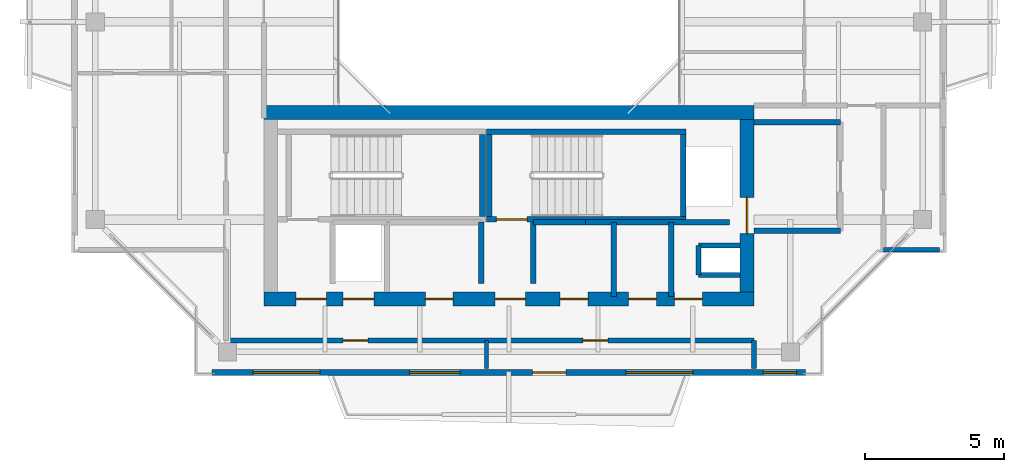
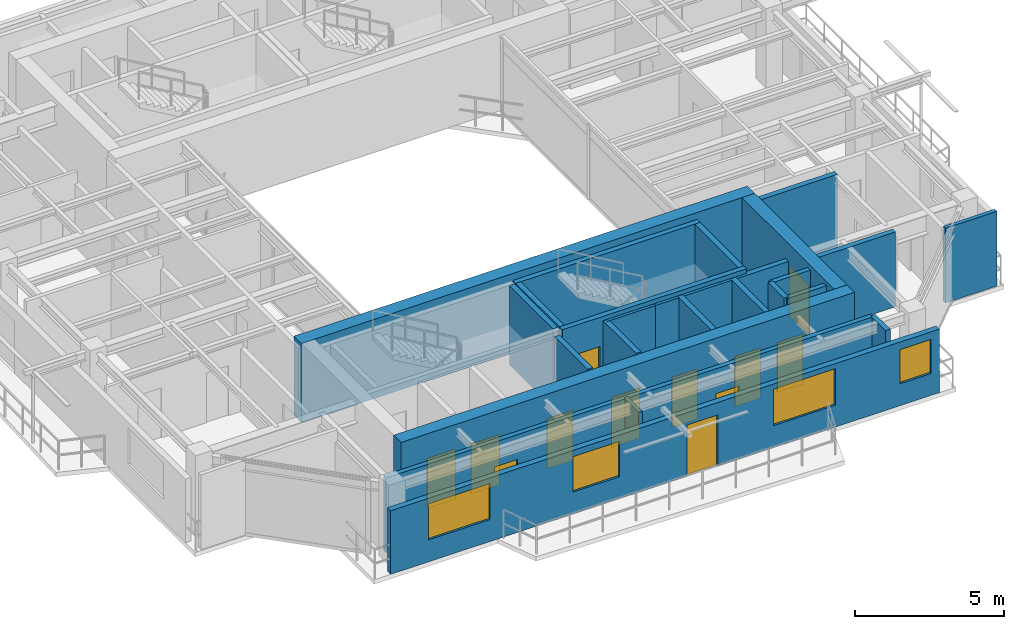
# One storey, part 9 of 15: 24 walls, 12 doors, 4 windows, 16 openings.
"""IFC4 building model written with IfcOpenShell, lengths in metres."""

import ifcopenshell
import ifcopenshell.guid

model = None  # the IFC model being written
_history = None  # IfcOwnerHistory: only IFC2X3 demands one
_inside = {}  # id of a spatial element -> (the spatial element, [elements in it])
_under = {}  # id of a project, library or spatial element -> (it, [spatial elements below it])
_declared = {}  # id of a project -> (the project, [libraries it declares])
_typed = {}  # id of a type object -> (the type object, [elements of that type])
_made_of = {}  # id of a material, layer set ... -> (it, [elements and type objects made of it])


def new_model(schema):
    """Start an empty IFC model of exactly this schema.

    Asked for "IFC4X3", IfcOpenShell would pick the latest addendum, in which some entities
    have other attributes; the version numbers below select the first issue.
    IFC2X3 requires an IfcOwnerHistory on every rooted entity: one is made here for all.
    """
    global model, _history
    if schema == "IFC4X3":
        model = ifcopenshell.file(schema_version=(4, 3, 0, 0))
    else:
        model = ifcopenshell.file(schema=schema)
    _inside.clear()
    _under.clear()
    _declared.clear()
    _typed.clear()
    _made_of.clear()
    _history = None
    if model.schema == "IFC2X3":
        org = make("IfcOrganization", Name="unknown")
        user = make(
            "IfcPersonAndOrganization",
            ThePerson=make("IfcPerson", FamilyName="unknown"),
            TheOrganization=org,
        )
        app = make(
            "IfcApplication",
            ApplicationDeveloper=org,
            Version="unknown",
            ApplicationFullName="unknown",
            ApplicationIdentifier="unknown",
        )
        _history = make(
            "IfcOwnerHistory",
            OwningUser=user,
            OwningApplication=app,
            ChangeAction="ADDED",
            CreationDate=0,
        )
    return model


def make(cls, **values):
    """One entity of the class cls with the attributes given. An attribute that is None is left unset."""
    return model.create_entity(
        cls, **{name: value for name, value in values.items() if value is not None}
    )


def rooted(cls, **values):
    """An entity with a GlobalId (a new one), such as an element, a storey or a relation."""
    return make(cls, GlobalId=ifcopenshell.guid.new(), OwnerHistory=_history, **values)


def si_unit(unit_type, name, prefix=None):
    """IfcSIUnit, for example si_unit("LENGTHUNIT", "METRE", prefix="MILLI")."""
    return make("IfcSIUnit", UnitType=unit_type, Prefix=prefix, Name=name)


def assignment(units):
    """IfcUnitAssignment: the units of a project."""
    return None if units is None else make("IfcUnitAssignment", Units=units)


def point(xyz):
    """IfcCartesianPoint."""
    return None if xyz is None else make("IfcCartesianPoint", Coordinates=xyz)


def direction(xyz):
    """IfcDirection."""
    return None if xyz is None else make("IfcDirection", DirectionRatios=xyz)


def frame(location, z_axis=None, x_axis=None):
    """IfcAxis2Placement3D, a coordinate frame: its origin and axes. An axis left out is left unset."""
    return make(
        "IfcAxis2Placement3D",
        Location=point(location),
        Axis=direction(z_axis),
        RefDirection=direction(x_axis),
    )


def frame_2d(location, x_axis=None):
    """IfcAxis2Placement2D, a coordinate frame in the plane: its origin and x axis."""
    return make(
        "IfcAxis2Placement2D", Location=point(location), RefDirection=direction(x_axis)
    )


def origin():
    """The frame at (0, 0, 0) with its axes left unset."""
    return frame((0.0, 0.0, 0.0))


def place(relative_to, where):
    """IfcLocalPlacement: puts the frame where relative to a parent placement (None: the world)."""
    return make(
        "IfcLocalPlacement", PlacementRelTo=relative_to, RelativePlacement=where
    )


def context(
    kind, dimensions, precision=None, world=None, true_north=None, identifier=None
):
    """IfcGeometricRepresentationContext, for example the 3D "Model" context."""
    return make(
        "IfcGeometricRepresentationContext",
        ContextIdentifier=identifier,
        ContextType=kind,
        CoordinateSpaceDimension=dimensions,
        Precision=precision,
        WorldCoordinateSystem=world,
        TrueNorth=true_north,
    )


def subcontext(parent, identifier, kind, view, scale=None):
    """IfcGeometricRepresentationSubContext, for example "Body" below "Model"."""
    return make(
        "IfcGeometricRepresentationSubContext",
        ContextIdentifier=identifier,
        ContextType=kind,
        ParentContext=parent,
        TargetScale=scale,
        TargetView=view,
    )


def project(units=None, contexts=None):
    """IfcProject with its units and contexts."""
    return rooted(
        "IfcProject",
        Name="project",
        RepresentationContexts=contexts,
        UnitsInContext=assignment(units),
    )


def spatial(cls, under=None, at=None, **own):
    """A site, building, storey or space (cls), placed at a placement, below another one or the project."""
    s = rooted(cls, ObjectPlacement=at, **own)
    if under is not None:
        _under.setdefault(under.id(), (under, []))[1].append(s)
    return s


def profile(cls, at=None, kind="AREA", **sizes):
    """A parametric profile (cls). Its sizes go by their IFC names, for example OverallWidth=200.0."""
    return make(cls, ProfileType=kind, Position=at, **sizes)


def rectangle(**sizes):
    """IfcRectangleProfileDef."""
    return profile("IfcRectangleProfileDef", **sizes)


def extrude(swept, where, along, depth):
    """IfcExtrudedAreaSolid: the profile swept, set in the frame where, extruded along a direction by depth."""
    return make(
        "IfcExtrudedAreaSolid",
        SweptArea=swept,
        Position=where,
        ExtrudedDirection=direction(along),
        Depth=depth,
    )


def shape(context_of_items, identifier, shape_type, items):
    """IfcShapeRepresentation: the items that make up one representation, for example the "Body"."""
    return make(
        "IfcShapeRepresentation",
        ContextOfItems=context_of_items,
        RepresentationIdentifier=identifier,
        RepresentationType=shape_type,
        Items=items,
    )


def source(mapping_origin, context_of_items, identifier, shape_type, items):
    """IfcRepresentationMap: a shape defined once, which mapped items show again and again."""
    return make(
        "IfcRepresentationMap",
        MappingOrigin=mapping_origin,
        MappedRepresentation=shape(context_of_items, identifier, shape_type, items),
    )


def transform(
    local_origin,
    x_axis=None,
    y_axis=None,
    z_axis=None,
    scale=None,
    scale2=None,
    scale3=None,
    uniform=True,
):
    """IfcCartesianTransformationOperator3D, or its non-uniform kind. x_axis, y_axis, z_axis: its Axis1, 2, 3."""
    if uniform:
        return make(
            "IfcCartesianTransformationOperator3D",
            Axis1=direction(x_axis),
            Axis2=direction(y_axis),
            LocalOrigin=point(local_origin),
            Scale=scale,
            Axis3=direction(z_axis),
        )
    return make(
        "IfcCartesianTransformationOperator3DnonUniform",
        Axis1=direction(x_axis),
        Axis2=direction(y_axis),
        LocalOrigin=point(local_origin),
        Scale=scale,
        Axis3=direction(z_axis),
        Scale2=scale2,
        Scale3=scale3,
    )


def mapped(mapping_source, mapping_target):
    """IfcMappedItem: shows the shape of a source again, moved by a transform."""
    return make(
        "IfcMappedItem", MappingSource=mapping_source, MappingTarget=mapping_target
    )


def material(Name=None, Category=None):
    """IfcMaterial."""
    return make("IfcMaterial", Name=Name, Category=Category)


def layer(
    of_material, thickness, ventilated=None, Name=None, Category=None, Priority=None
):
    """IfcMaterialLayer: one layer of a wall or slab, of a material (None: an air gap)."""
    return make(
        "IfcMaterialLayer",
        Material=of_material,
        LayerThickness=thickness,
        IsVentilated=ventilated,
        Name=Name,
        Category=Category,
        Priority=Priority,
    )


def layer_set(layers, Name=None):
    """IfcMaterialLayerSet."""
    return make("IfcMaterialLayerSet", MaterialLayers=layers, LayerSetName=Name)


def made_of(thing, what):
    """Note that an element or type object is made of a material, layer set ...; save() writes the relation."""
    if what is not None:
        _made_of.setdefault(what.id(), (what, []))[1].append(thing)
    return thing


def type_object(cls, material=None, **own):
    """A type object (cls), such as IfcWallType, which elements share."""
    return made_of(rooted(cls, **own), material)


def element(
    cls,
    number,
    at=None,
    inside=None,
    cuts=None,
    type_object=None,
    material=None,
    context=None,
    identifier="Body",
    shape_type=None,
    held_by="IfcProductDefinitionShape",
    body=None,
    shapes=None,
    **own,
):
    """One element of the class cls, such as IfcWall. Its Tag is "e" and its number.

    at: its placement. inside: the storey or other place that contains it. cuts: it is an
    opening in that element (IfcRelVoidsElement). A single representation is given by context,
    identifier, shape_type and body (its items); several are given by shapes. held_by: the class
    of the entity that holds the representations. save() writes the other relations.
    """
    e = rooted(cls, Tag="e%d" % number, ObjectPlacement=at, **own)
    if body is not None:
        shapes = [shape(context, identifier, shape_type, body)]
    if shapes is not None:
        e.Representation = make(held_by, Representations=shapes)
    if inside is not None:
        _inside.setdefault(inside.id(), (inside, []))[1].append(e)
    if cuts is not None:
        rooted(
            "IfcRelVoidsElement", RelatingBuildingElement=cuts, RelatedOpeningElement=e
        )
    if type_object is not None:
        _typed.setdefault(type_object.id(), (type_object, []))[1].append(e)
    return made_of(e, material)


def fill(opening, filler):
    """IfcRelFillsElement: the door or window that sits in an opening."""
    return rooted(
        "IfcRelFillsElement",
        RelatingOpeningElement=opening,
        RelatedBuildingElement=filler,
    )


def aggregate(whole, parts):
    """IfcRelAggregates: a whole, such as a stair, and the parts it consists of."""
    return rooted("IfcRelAggregates", RelatingObject=whole, RelatedObjects=parts)


def save(model, path):
    """Write the relations noted so far, then the file.

    IfcRelAggregates (storeys below a building ...), IfcRelContainedInSpatialStructure (elements
    in a storey), IfcRelDefinesByType, IfcRelAssociatesMaterial and IfcRelDeclares: one each for
    every whole, place, type object, material and project.
    """
    for whole, parts in _under.values():
        aggregate(whole, parts)
    for where, things in _inside.values():
        rooted(
            "IfcRelContainedInSpatialStructure",
            RelatedElements=things,
            RelatingStructure=where,
        )
    for kind, things in _typed.values():
        rooted("IfcRelDefinesByType", RelatedObjects=things, RelatingType=kind)
    for what, things in _made_of.values():
        rooted("IfcRelAssociatesMaterial", RelatedObjects=things, RelatingMaterial=what)
    for by, libraries in _declared.values():
        rooted("IfcRelDeclares", RelatingContext=by, RelatedDefinitions=libraries)
    model.write(path)


model = new_model("IFC4")

# Units and contexts
model_context = context("Model", 3, precision=1e-05, world=origin(), true_north=direction((0.0, 1.0)))
body_context = subcontext(model_context, "Body", "Model", "MODEL_VIEW")
ifc_project = project(units=[si_unit("LENGTHUNIT", "METRE"), si_unit("AREAUNIT", "SQUARE_METRE"), si_unit("VOLUMEUNIT", "CUBIC_METRE"), si_unit("PLANEANGLEUNIT", "RADIAN"), si_unit("MASSUNIT", "GRAM", prefix="KILO"), si_unit("THERMODYNAMICTEMPERATUREUNIT", "KELVIN"), si_unit("POWERUNIT", "WATT")], contexts=[model_context])

# Site, building, storey
site_placement = place(None, origin())
site = spatial("IfcSite", under=ifc_project, at=site_placement, CompositionType="ELEMENT")
building_placement = place(site_placement, origin())
building = spatial("IfcBuilding", under=site, at=building_placement, Name="Qiaomeng Ring Towers", CompositionType="ELEMENT")
storey_placement = place(building_placement, frame((0.0, 0.0, 250.25)))
storey = spatial("IfcBuildingStorey", under=building, at=storey_placement, Name="L73", CompositionType="ELEMENT", Elevation=250.25)

# Wall, openings, windows, door
ifc_material_1 = material(Name="Precast concrete C40", Category="concrete")
ifc_layer_1 = layer(ifc_material_1, 0.219970703125, Name="Precast concrete C40")
ifc_layer_set_1 = layer_set([ifc_layer_1], Name="Precast concrete C40")
wall_type_1 = type_object("IfcWallType", Name="ARC-WL-EW2", PredefinedType="STANDARD", material=ifc_layer_set_1)
wall_1_placement = place(storey_placement, frame((8.35009765625, 7.409912109375, 0.0), z_axis=(0.0, 0.0, 1.0), x_axis=(1.0, 0.0, 0.0)))
wall_1 = element("IfcWall", 1, at=wall_1_placement, inside=storey, type_object=wall_type_1, Name="L73 Tower 1 S Exterior Wall", PredefinedType="STANDARD", context=body_context, shape_type="SweptSolid", body=[
    extrude(rectangle(XDim=21.2998046875, YDim=0.219970703125, at=frame_2d((10.64990234375, 0.0))), origin(), (0.0, 0.0, 1.0), 2.610107421875),
])
opening_1_placement = place(wall_1_placement, frame((11.5, 0.0, 0.0)))
opening_1 = element("IfcOpeningElement", 2, at=opening_1_placement, cuts=wall_1, Name="Opening BD1", PredefinedType="OPENING", context=body_context, shape_type="SweptSolid", body=[
    extrude(rectangle(XDim=1.199951171875, YDim=2.10009765625, at=frame_2d((0.60009765625, 1.050048828125))), frame((0.0, 0.119873046875, 0.0), z_axis=(0.0, -1.0, 0.0), x_axis=(1.0, 0.0, 0.0)), (0.0, 0.0, 1.0), 0.239990234375),
])
opening_2_placement = place(wall_1_placement, frame((1.462890625, 0.0, 0.89990234375)))
opening_2 = element("IfcOpeningElement", 3, at=opening_2_placement, cuts=wall_1, Name="Opening WN6", PredefinedType="OPENING", context=body_context, shape_type="SweptSolid", body=[
    extrude(rectangle(XDim=2.39990234375, YDim=1.47998046875, at=frame_2d((1.199951171875, 0.739990234375))), frame((0.0, 0.119873046875, 0.0), z_axis=(0.0, -1.0, 0.0), x_axis=(1.0, 0.0, 0.0)), (0.0, 0.0, 1.0), 0.239990234375),
])
opening_3_placement = place(wall_1_placement, frame((7.087890625, 0.0, 0.89990234375)))
opening_3 = element("IfcOpeningElement", 4, at=opening_3_placement, cuts=wall_1, Name="Opening WN1", PredefinedType="OPENING", context=body_context, shape_type="SweptSolid", body=[
    extrude(rectangle(XDim=1.800048828125, YDim=1.449951171875, at=frame_2d((0.89990234375, 0.72509765625))), frame((0.0, 0.119873046875, 0.0), z_axis=(0.0, -1.0, 0.0), x_axis=(1.0, 0.0, 0.0)), (0.0, 0.0, 1.0), 0.239990234375),
])
opening_4_placement = place(wall_1_placement, frame((19.77490234375, 0.0, 0.89990234375)))
opening_4 = element("IfcOpeningElement", 5, at=opening_4_placement, cuts=wall_1, Name="Opening WN3", PredefinedType="OPENING", context=body_context, shape_type="SweptSolid", body=[
    extrude(rectangle(XDim=1.199951171875, YDim=1.39990234375, at=frame_2d((0.60009765625, 0.699951171875))), frame((0.0, 0.119873046875, 0.0), z_axis=(0.0, -1.0, 0.0), x_axis=(1.0, 0.0, 0.0)), (0.0, 0.0, 1.0), 0.239990234375),
])
opening_5_placement = place(wall_1_placement, frame((14.860107421875, 0.0, 0.89990234375)))
opening_5 = element("IfcOpeningElement", 6, at=opening_5_placement, cuts=wall_1, Name="Opening WN6", PredefinedType="OPENING", context=body_context, shape_type="SweptSolid", body=[
    extrude(rectangle(XDim=2.39990234375, YDim=1.5, at=frame_2d((1.199951171875, 0.75))), frame((0.0, 0.119873046875, 0.0), z_axis=(0.0, -1.0, 0.0), x_axis=(1.0, 0.0, 0.0)), (0.0, 0.0, 1.0), 0.239990234375),
])
ifc_material_2 = material(Name="Low-E dark-grey laminated double glazing", Category="glass")
window_type_1 = type_object("IfcWindowType", Name="ARC-WN-1", PartitioningType="DOUBLE_PANEL_VERTICAL", PredefinedType="WINDOW", material=ifc_material_2)
shared_shape_1 = source(origin(), body_context, "Body", "SweptSolid", [
    extrude(rectangle(XDim=1.800048828125, YDim=1.449951171875, at=frame_2d((0.89990234375, 0.72509765625))), frame((0.0, 0.030029296875, 0.0), z_axis=(0.0, -1.0, 0.0), x_axis=(1.0, 0.0, 0.0)), (0.0, 0.0, 1.0), 0.06005859375),
])
window_1_placement = place(opening_3_placement, origin())
window_1 = element("IfcWindow", 7, at=window_1_placement, inside=storey, type_object=window_type_1, Name="L73 Exterior Window WN1", OverallHeight=1.449951171875, OverallWidth=1.800048828125, PartitioningType="DOUBLE_PANEL_VERTICAL", PredefinedType="WINDOW", context=body_context, shape_type="MappedRepresentation", body=[
    mapped(shared_shape_1, transform((0.0, 0.0, 0.0), x_axis=(1.0, 0.0, 0.0), y_axis=(0.0, 1.0, 0.0), z_axis=(0.0, 0.0, 1.0), scale=1.0)),
])
fill(opening_3, window_1)
window_type_2 = type_object("IfcWindowType", Name="ARC-WN-6", PartitioningType="TRIPLE_PANEL_VERTICAL", PredefinedType="WINDOW", material=ifc_material_2)
shared_shape_2 = source(origin(), body_context, "Body", "SweptSolid", [
    extrude(rectangle(XDim=2.39990234375, YDim=1.47998046875, at=frame_2d((1.199951171875, 0.739990234375))), frame((0.0, 0.030029296875, 0.0), z_axis=(0.0, -1.0, 0.0), x_axis=(1.0, 0.0, 0.0)), (0.0, 0.0, 1.0), 0.06005859375),
])
window_2_placement = place(opening_2_placement, origin())
window_2 = element("IfcWindow", 8, at=window_2_placement, inside=storey, type_object=window_type_2, Name="L73 Exterior Window WN6", OverallHeight=1.47998046875, OverallWidth=2.39990234375, PartitioningType="TRIPLE_PANEL_VERTICAL", PredefinedType="WINDOW", context=body_context, shape_type="MappedRepresentation", body=[
    mapped(shared_shape_2, transform((0.0, 0.0, 0.0), x_axis=(1.0, 0.0, 0.0), y_axis=(0.0, 1.0, 0.0), z_axis=(0.0, 0.0, 1.0), scale=1.0)),
])
fill(opening_2, window_2)
door_type_1 = type_object("IfcDoorType", Name="ARC-DR-BD1", OperationType="NOTDEFINED", PredefinedType="DOOR", material=ifc_material_2)
shared_shape_3 = source(origin(), body_context, "Body", "SweptSolid", [
    extrude(rectangle(XDim=1.199951171875, YDim=2.10009765625, at=frame_2d((0.60009765625, 1.050048828125))), frame((0.0, 0.02490234375, 0.0), z_axis=(0.0, -1.0, 0.0), x_axis=(1.0, 0.0, 0.0)), (0.0, 0.0, 1.0), 0.050048828125),
])
door_1_placement = place(opening_1_placement, frame((1.199951171875, 0.0, 0.0), z_axis=(0.0, 0.0, 1.0), x_axis=(-1.0, 0.0, 0.0)))
door_1 = element("IfcDoor", 9, at=door_1_placement, inside=storey, type_object=door_type_1, Name="L73 S Balcony Glazed Door", OperationType="SINGLE_SWING_LEFT", OverallHeight=2.10009765625, OverallWidth=1.199951171875, PredefinedType="DOOR", context=body_context, shape_type="MappedRepresentation", body=[
    mapped(shared_shape_3, transform((0.0, 0.0, 0.0), x_axis=(1.0, 0.0, 0.0), y_axis=(0.0, 1.0, 0.0), z_axis=(0.0, 0.0, 1.0), scale=1.0)),
])
fill(opening_1, door_1)
shared_shape_4 = source(origin(), body_context, "Body", "SweptSolid", [
    extrude(rectangle(XDim=2.39990234375, YDim=1.5, at=frame_2d((1.199951171875, 0.75))), frame((0.0, 0.030029296875, 0.0), z_axis=(0.0, -1.0, 0.0), x_axis=(1.0, 0.0, 0.0)), (0.0, 0.0, 1.0), 0.06005859375),
])
window_3_placement = place(opening_5_placement, origin())
window_3 = element("IfcWindow", 10, at=window_3_placement, inside=storey, type_object=window_type_2, Name="L73 Exterior Window WN6", OverallHeight=1.5, OverallWidth=2.39990234375, PartitioningType="TRIPLE_PANEL_VERTICAL", PredefinedType="WINDOW", context=body_context, shape_type="MappedRepresentation", body=[
    mapped(shared_shape_4, transform((0.0, 0.0, 0.0), x_axis=(1.0, 0.0, 0.0), y_axis=(0.0, 1.0, 0.0), z_axis=(0.0, 0.0, 1.0), scale=1.0)),
])
fill(opening_5, window_3)
window_type_3 = type_object("IfcWindowType", Name="ARC-WN-3", PartitioningType="SINGLE_PANEL", PredefinedType="WINDOW", material=ifc_material_2)
shared_shape_5 = source(origin(), body_context, "Body", "SweptSolid", [
    extrude(rectangle(XDim=1.199951171875, YDim=1.39990234375, at=frame_2d((0.60009765625, 0.699951171875))), frame((0.0, 0.030029296875, 0.0), z_axis=(0.0, -1.0, 0.0), x_axis=(1.0, 0.0, 0.0)), (0.0, 0.0, 1.0), 0.06005859375),
])
window_4_placement = place(opening_4_placement, origin())
window_4 = element("IfcWindow", 11, at=window_4_placement, inside=storey, type_object=window_type_3, Name="L73 Exterior Window WN4", OverallHeight=1.39990234375, OverallWidth=1.199951171875, PartitioningType="TRIPLE_PANEL_VERTICAL", PredefinedType="WINDOW", context=body_context, shape_type="MappedRepresentation", body=[
    mapped(shared_shape_5, transform((0.0, 0.0, 0.0), x_axis=(1.0, 0.0, 0.0), y_axis=(0.0, 1.0, 0.0), z_axis=(0.0, 0.0, 1.0), scale=1.0)),
])
fill(opening_4, window_4)

# Walls
ifc_material_3 = material(Name="Autoclaved aerated concrete block", Category="concrete")
ifc_layer_2 = layer(ifc_material_3, 0.199951171875, Name="Autoclaved aerated concrete block")
ifc_layer_set_2 = layer_set([ifc_layer_2], Name="Autoclaved aerated concrete block")
wall_type_2 = type_object("IfcWallType", Name="ARC-WL-PW1", PredefinedType="PARTITIONING", material=ifc_layer_set_2)
for number, where, z_axis, x_axis, name in (
    (12, (27.800048828125, 16.39990234375, 0.0), (0.0, 0.0, 1.0), (1.0, 0.0, 0.0), "L73 Interior Wall PW1"),
    (13, (27.800048828125, 12.5, 0.0), (0.0, 0.0, 1.0), (1.0, 0.0, 0.0), "L73 Interior Wall PW1"),
):
    element("IfcWall", number, at=place(storey_placement, frame(where, z_axis=z_axis, x_axis=x_axis)), inside=storey, type_object=wall_type_2, Name=name, PredefinedType="PARTITIONING", context=body_context, shape_type="SweptSolid", body=[
        extrude(rectangle(XDim=3.099853515625, YDim=0.199951171875, at=frame_2d((1.5498046875, 0.0))), origin(), (0.0, 0.0, 1.0), 3.070068359375),
    ])
for number, where, z_axis, x_axis, name in (
    (14, (18.0, 10.60009765625, 0.0), (0.0, 0.0, 1.0), (0.0, 1.0, 0.0), "L73 Interior Wall PW1"),
    (15, (19.8798828125, 10.60009765625, 0.0), (0.0, 0.0, 1.0), (0.0, 1.0, 0.0), "L73 Interior Wall PW1"),
):
    element("IfcWall", number, at=place(storey_placement, frame(where, z_axis=z_axis, x_axis=x_axis)), inside=storey, type_object=wall_type_2, Name=name, PredefinedType="PARTITIONING", context=body_context, shape_type="SweptSolid", body=[
        extrude(rectangle(XDim=2.2099609375, YDim=0.199951171875, at=frame_2d((1.10498046875, 0.0))), origin(), (0.0, 0.0, 1.0), 3.070068359375),
    ])
wall_2_placement = place(storey_placement, frame((24.820068359375, 10.14990234375, 0.0), z_axis=(0.0, 0.0, 1.0), x_axis=(0.0, 1.0, 0.0)))
element("IfcWall", 16, at=wall_2_placement, inside=storey, type_object=wall_type_2, Name="L73 Interior Wall PW1", PredefinedType="PARTITIONING", context=body_context, shape_type="SweptSolid", body=[
    extrude(rectangle(XDim=2.650146484375, YDim=0.199951171875, at=frame_2d((1.3251953125, 0.0))), origin(), (0.0, 0.0, 1.0), 3.070068359375),
])
wall_3_placement = place(storey_placement, frame((19.8798828125, 12.800048828125, 0.0), z_axis=(0.0, 0.0, 1.0), x_axis=(1.0, 0.0, 0.0)))
element("IfcWall", 17, at=wall_3_placement, inside=storey, type_object=wall_type_2, Name="L73 Interior Wall PW1", PredefinedType="PARTITIONING", context=body_context, shape_type="SweptSolid", body=[
    extrude(rectangle(XDim=1.8701171875, YDim=0.199951171875, at=frame_2d((0.93505859375, 0.0))), origin(), (0.0, 0.0, 1.0), 3.070068359375),
])
wall_4_placement = place(storey_placement, frame((22.760009765625, 10.14990234375, 0.0), z_axis=(0.0, 0.0, 1.0), x_axis=(0.0, 1.0, 0.0)))
element("IfcWall", 18, at=wall_4_placement, inside=storey, type_object=wall_type_2, Name="L73 Interior Wall PW1", PredefinedType="PARTITIONING", context=body_context, shape_type="SweptSolid", body=[
    extrude(rectangle(XDim=2.650146484375, YDim=0.199951171875, at=frame_2d((1.3251953125, 0.0))), origin(), (0.0, 0.0, 1.0), 3.070068359375),
])
wall_5_placement = place(storey_placement, frame((21.75, 12.800048828125, 0.0), z_axis=(0.0, 0.0, 1.0), x_axis=(1.0, 0.0, 0.0)))
element("IfcWall", 19, at=wall_5_placement, inside=storey, type_object=wall_type_2, Name="L73 Interior Wall PW1", PredefinedType="PARTITIONING", context=body_context, shape_type="SweptSolid", body=[
    extrude(rectangle(XDim=5.169921875, YDim=0.199951171875, at=frame_2d((2.5849609375, 0.0))), origin(), (0.0, 0.0, 1.0), 3.070068359375),
])
ifc_layer_3 = layer(ifc_material_3, 0.179931640625, Name="Autoclaved aerated concrete block")
ifc_layer_set_3 = layer_set([ifc_layer_3], Name="Autoclaved aerated concrete block")
wall_type_3 = type_object("IfcWallType", Name="ARC-WL-PW2", PredefinedType="PARTITIONING", material=ifc_layer_set_3)
wall_6_placement = place(storey_placement, frame((27.800048828125, 7.550048828125, 0.0), z_axis=(0.0, 0.0, 1.0), x_axis=(0.0, 1.0, 0.0)))
element("IfcWall", 20, at=wall_6_placement, inside=storey, type_object=wall_type_3, Name="L73 Interior Wall PW2", PredefinedType="PARTITIONING", context=body_context, shape_type="SweptSolid", body=[
    extrude(rectangle(XDim=1.010009765625, YDim=0.179931640625, at=frame_2d((0.5048828125, 0.0))), origin(), (0.0, 0.0, 1.0), 3.070068359375),
])

# Wall, openings, doors
wall_7_placement = place(storey_placement, frame((8.85009765625, 8.56005859375, 0.0), z_axis=(0.0, 0.0, 1.0), x_axis=(1.0, 0.0, 0.0)))
wall_7 = element("IfcWall", 21, at=wall_7_placement, inside=storey, type_object=wall_type_3, Name="L73 Interior Wall PW2", PredefinedType="PARTITIONING", context=body_context, shape_type="SweptSolid", body=[
    extrude(rectangle(XDim=18.949951171875, YDim=0.179931640625, at=frame_2d((9.47509765625, 0.0))), origin(), (0.0, 0.0, 1.0), 3.070068359375),
])
opening_6_placement = place(wall_7_placement, frame((4.199951171875, 0.0, 0.0)))
opening_6 = element("IfcOpeningElement", 22, at=opening_6_placement, cuts=wall_7, Name="Opening ID1", PredefinedType="OPENING", context=body_context, shape_type="SweptSolid", body=[
    extrude(rectangle(XDim=0.89990234375, YDim=2.050048828125, at=frame_2d((0.449951171875, 1.02490234375))), frame((0.0, 0.099853515625, 0.0), z_axis=(0.0, -1.0, 0.0), x_axis=(1.0, 0.0, 0.0)), (0.0, 0.0, 1.0), 0.199951171875),
])
opening_7_placement = place(wall_7_placement, frame((12.800048828125, 0.0, 0.0)))
opening_7 = element("IfcOpeningElement", 23, at=opening_7_placement, cuts=wall_7, Name="Opening ID1", PredefinedType="OPENING", context=body_context, shape_type="SweptSolid", body=[
    extrude(rectangle(XDim=0.89990234375, YDim=2.050048828125, at=frame_2d((0.449951171875, 1.02490234375))), frame((0.0, 0.099853515625, 0.0), z_axis=(0.0, -1.0, 0.0), x_axis=(1.0, 0.0, 0.0)), (0.0, 0.0, 1.0), 0.199951171875),
])
ifc_material_4 = material(Name="Engineered oak timber", Category="wood")
door_type_2 = type_object("IfcDoorType", Name="ARC-DR-ID1", OperationType="NOTDEFINED", PredefinedType="DOOR", material=ifc_material_4)
shared_shape_6 = source(origin(), body_context, "Body", "SweptSolid", [
    extrude(rectangle(XDim=0.89990234375, YDim=2.050048828125, at=frame_2d((0.449951171875, 1.02490234375))), frame((0.0, 0.02490234375, 0.0), z_axis=(0.0, -1.0, 0.0), x_axis=(1.0, 0.0, 0.0)), (0.0, 0.0, 1.0), 0.050048828125),
])
door_2_placement = place(opening_6_placement, origin())
door_2 = element("IfcDoor", 24, at=door_2_placement, inside=storey, type_object=door_type_2, Name="L73 Door ID1", OperationType="SINGLE_SWING_LEFT", OverallHeight=2.050048828125, OverallWidth=0.89990234375, PredefinedType="DOOR", context=body_context, shape_type="MappedRepresentation", body=[
    mapped(shared_shape_6, transform((0.0, 0.0, 0.0), x_axis=(1.0, 0.0, 0.0), y_axis=(0.0, 1.0, 0.0), z_axis=(0.0, 0.0, 1.0), scale=1.0)),
])
fill(opening_6, door_2)
door_3_placement = place(opening_7_placement, origin())
door_3 = element("IfcDoor", 25, at=door_3_placement, inside=storey, type_object=door_type_2, Name="L73 Door ID1", OperationType="SINGLE_SWING_RIGHT", OverallHeight=2.050048828125, OverallWidth=0.89990234375, PredefinedType="DOOR", context=body_context, shape_type="MappedRepresentation", body=[
    mapped(shared_shape_6, transform((0.0, 0.0, 0.0), x_axis=(1.0, 0.0, 0.0), y_axis=(0.0, 1.0, 0.0), z_axis=(0.0, 0.0, 1.0), scale=1.0)),
])
fill(opening_7, door_3)

# Walls
ifc_material_5 = material(Name="Gypsum fireboard steel-stud partition", Category="steel")
ifc_layer_4 = layer(ifc_material_5, 0.14990234375, Name="Gypsum fireboard steel-stud partition")
ifc_layer_set_4 = layer_set([ifc_layer_4], Name="Gypsum fireboard steel-stud partition")
wall_type_4 = type_object("IfcWallType", Name="ARC-WL-PW3", PredefinedType="PARTITIONING", material=ifc_layer_set_4)
wall_8_placement = place(storey_placement, frame((18.199951171875, 7.550048828125, 0.0), z_axis=(0.0, 0.0, 1.0), x_axis=(0.0, 1.0, 0.0)))
element("IfcWall", 26, at=wall_8_placement, inside=storey, type_object=wall_type_4, Name="L73 Interior Wall PW3", PredefinedType="PARTITIONING", context=body_context, shape_type="SweptSolid", body=[
    extrude(rectangle(XDim=1.010009765625, YDim=0.14990234375, at=frame_2d((0.5048828125, 0.0))), origin(), (0.0, 0.0, 1.0), 3.070068359375),
])
wall_9_placement = place(storey_placement, frame((32.449951171875, 11.820068359375, 0.0), z_axis=(0.0, 0.0, 1.0), x_axis=(1.0, 0.0, 0.0)))
element("IfcWall", 27, at=wall_9_placement, inside=storey, type_object=wall_type_4, Name="L73 Interior Wall PW3", PredefinedType="PARTITIONING", context=body_context, shape_type="SweptSolid", body=[
    extrude(rectangle(XDim=2.0, YDim=0.14990234375, at=frame_2d((1.0, 0.0))), origin(), (0.0, 0.0, 1.0), 3.070068359375),
])
ifc_material_6 = material(Name="Concrete C40", Category="concrete")
ifc_layer_5 = layer(ifc_material_6, 0.199951171875, Name="Concrete C40")
ifc_layer_set_5 = layer_set([ifc_layer_5], Name="Concrete C40")
wall_type_5 = type_object("IfcWallType", Name="STR-WL-STSHAFT", PredefinedType="SHEAR", material=ifc_layer_set_5)
wall_10_placement = place(storey_placement, frame((25.800048828125, 10.919921875, 0.0), z_axis=(0.0, 0.0, 1.0), x_axis=(0.0, 1.0, 0.0)))
element("IfcWall", 28, at=wall_10_placement, inside=storey, type_object=wall_type_5, Name="L73 Riser RSR1 West Shaft Wall S", PredefinedType="SHEAR", context=body_context, shape_type="SweptSolid", body=[
    extrude(rectangle(XDim=1.06005859375, YDim=0.179931640625, at=frame_2d((0.530029296875, 0.0))), origin(), (0.0, 0.0, 1.0), 3.070068359375),
])
for number, where, z_axis, x_axis, name in (
    (29, (25.800048828125, 11.97998046875, 0.0), (0.0, 0.0, 1.0), (1.0, 0.0, 0.0), "L73 Riser RSR1 North Shaft Wall S"),
    (30, (25.800048828125, 10.919921875, 0.0), (0.0, 0.0, 1.0), (1.0, 0.0, 0.0), "L73 Riser RSR1 South Shaft Wall S"),
):
    element("IfcWall", number, at=place(storey_placement, frame(where, z_axis=z_axis, x_axis=x_axis)), inside=storey, type_object=wall_type_5, Name=name, PredefinedType="SHEAR", context=body_context, shape_type="SweptSolid", body=[
        extrude(rectangle(XDim=1.5, YDim=0.179931640625, at=frame_2d((0.75, 0.0))), origin(), (0.0, 0.0, 1.0), 3.070068359375),
    ])
wall_11_placement = place(storey_placement, frame((18.050048828125, 13.010009765625, 0.0), z_axis=(0.0, 0.0, 1.0), x_axis=(0.0, 1.0, 0.0)))
element("IfcWall", 31, at=wall_11_placement, inside=storey, type_object=wall_type_5, Name="L73 Stair ST3 East Shaft Shear Wall", PredefinedType="SHEAR", context=body_context, shape_type="SweptSolid", body=[
    extrude(rectangle(XDim=2.93994140625, YDim=0.199951171875, at=frame_2d((1.469970703125, 0.0))), origin(), (0.0, 0.0, 1.0), 3.25),
])

# Wall, opening, door
wall_12_placement = place(storey_placement, frame((18.199951171875, 12.909912109375, 0.0), z_axis=(0.0, 0.0, 1.0), x_axis=(1.0, 0.0, 0.0)))
wall_12 = element("IfcWall", 32, at=wall_12_placement, inside=storey, type_object=wall_type_5, Name="L73 Stair ST4 South Shaft Shear Wall", PredefinedType="SHEAR", context=body_context, shape_type="SweptSolid", body=[
    extrude(rectangle(XDim=7.150146484375, YDim=0.199951171875, at=frame_2d((3.5751953125, 0.0))), origin(), (0.0, 0.0, 1.0), 3.25),
])
opening_8_placement = place(wall_12_placement, frame((0.35009765625, 0.0, 0.0)))
opening_8 = element("IfcOpeningElement", 33, at=opening_8_placement, cuts=wall_12, Name="Opening FD3", PredefinedType="OPENING", context=body_context, shape_type="SweptSolid", body=[
    extrude(rectangle(XDim=1.10009765625, YDim=2.050048828125, at=frame_2d((0.550048828125, 1.02490234375))), frame((0.0, 0.10986328125, 0.0), z_axis=(0.0, -1.0, 0.0), x_axis=(1.0, 0.0, 0.0)), (0.0, 0.0, 1.0), 0.219970703125),
])
ifc_material_7 = material(Name="Galvanised steel", Category="steel")
door_type_3 = type_object("IfcDoorType", Name="ARC-DR-FD3", OperationType="NOTDEFINED", PredefinedType="DOOR", material=ifc_material_7)
shared_shape_7 = source(origin(), body_context, "Body", "SweptSolid", [
    extrude(rectangle(XDim=1.10009765625, YDim=2.050048828125, at=frame_2d((0.550048828125, 1.02490234375))), frame((0.0, 0.02490234375, 0.0), z_axis=(0.0, -1.0, 0.0), x_axis=(1.0, 0.0, 0.0)), (0.0, 0.0, 1.0), 0.050048828125),
])
door_4_placement = place(opening_8_placement, frame((1.10009765625, 0.0, 0.0), z_axis=(0.0, 0.0, 1.0), x_axis=(-1.0, 0.0, 0.0)))
door_4 = element("IfcDoor", 34, at=door_4_placement, inside=storey, type_object=door_type_3, Name="L73 Stair ST4 Exit Door", OperationType="SINGLE_SWING_LEFT", OverallHeight=2.050048828125, OverallWidth=1.10009765625, PredefinedType="DOOR", context=body_context, shape_type="MappedRepresentation", body=[
    mapped(shared_shape_7, transform((0.0, 0.0, 0.0), x_axis=(1.0, 0.0, 0.0), y_axis=(0.0, 1.0, 0.0), z_axis=(0.0, 0.0, 1.0), scale=1.0)),
])
fill(opening_8, door_4)

# Walls
wall_13_placement = place(storey_placement, frame((18.199951171875, 16.050048828125, 0.0), z_axis=(0.0, 0.0, 1.0), x_axis=(1.0, 0.0, 0.0)))
element("IfcWall", 35, at=wall_13_placement, inside=storey, type_object=wall_type_5, Name="L73 Stair ST4 North Shaft Shear Wall", PredefinedType="SHEAR", context=body_context, shape_type="SweptSolid", body=[
    extrude(rectangle(XDim=7.150146484375, YDim=0.199951171875, at=frame_2d((3.5751953125, 0.0))), origin(), (0.0, 0.0, 1.0), 3.25),
])
for number, where, z_axis, x_axis, name in (
    (36, (18.300048828125, 13.010009765625, 0.0), (0.0, 0.0, 1.0), (0.0, 1.0, 0.0), "L73 Stair ST4 West Shaft Shear Wall"),
    (37, (25.25, 13.010009765625, 0.0), (0.0, 0.0, 1.0), (0.0, 1.0, 0.0), "L73 Stair ST4 East Shaft Shear Wall"),
):
    element("IfcWall", number, at=place(storey_placement, frame(where, z_axis=z_axis, x_axis=x_axis)), inside=storey, type_object=wall_type_5, Name=name, PredefinedType="SHEAR", context=body_context, shape_type="SweptSolid", body=[
        extrude(rectangle(XDim=2.93994140625, YDim=0.199951171875, at=frame_2d((1.469970703125, 0.0))), origin(), (0.0, 0.0, 1.0), 3.25),
    ])

# Wall, openings, doors
ifc_layer_6 = layer(ifc_material_6, 0.5, Name="Concrete C40")
ifc_layer_set_6 = layer_set([ifc_layer_6], Name="Concrete C40")
wall_type_6 = type_object("IfcWallType", Name="STR-WL-SW3", PredefinedType="SHEAR", material=ifc_layer_set_6)
wall_14_placement = place(storey_placement, frame((10.199951171875, 10.050048828125, 0.0), z_axis=(0.0, 0.0, 1.0), x_axis=(1.0, 0.0, 0.0)))
wall_14 = element("IfcWall", 38, at=wall_14_placement, inside=storey, type_object=wall_type_6, Name="L73 T1SC south core shear wall", PredefinedType="SHEAR", context=body_context, shape_type="SweptSolid", body=[
    extrude(rectangle(XDim=17.60009765625, YDim=0.5, at=frame_2d((8.800048828125, 0.0))), origin(), (0.0, 0.0, 1.0), 3.25),
])
opening_9_placement = place(wall_14_placement, frame((1.14990234375, 0.0, 0.0)))
opening_9 = element("IfcOpeningElement", 39, at=opening_9_placement, cuts=wall_14, Name="Opening FD3", PredefinedType="OPENING", context=body_context, shape_type="SweptSolid", body=[
    extrude(rectangle(XDim=1.10009765625, YDim=2.050048828125, at=frame_2d((0.550048828125, 1.02490234375))), frame((0.0, 0.260009765625, 0.0), z_axis=(0.0, -1.0, 0.0), x_axis=(1.0, 0.0, 0.0)), (0.0, 0.0, 1.0), 0.52001953125),
])
opening_10_placement = place(wall_14_placement, frame((8.300048828125, 0.0, 0.0)))
opening_10 = element("IfcOpeningElement", 40, at=opening_10_placement, cuts=wall_14, Name="Opening FD3", PredefinedType="OPENING", context=body_context, shape_type="SweptSolid", body=[
    extrude(rectangle(XDim=1.10009765625, YDim=2.050048828125, at=frame_2d((0.550048828125, 1.02490234375))), frame((0.0, 0.260009765625, 0.0), z_axis=(0.0, -1.0, 0.0), x_axis=(1.0, 0.0, 0.0)), (0.0, 0.0, 1.0), 0.52001953125),
])
opening_11_placement = place(wall_14_placement, frame((2.85009765625, 0.0, 0.0)))
opening_11 = element("IfcOpeningElement", 41, at=opening_11_placement, cuts=wall_14, Name="Opening LD1", PredefinedType="OPENING", context=body_context, shape_type="SweptSolid", body=[
    extrude(rectangle(XDim=1.10009765625, YDim=2.050048828125, at=frame_2d((0.550048828125, 1.02490234375))), frame((0.0, 0.260009765625, 0.0), z_axis=(0.0, -1.0, 0.0), x_axis=(1.0, 0.0, 0.0)), (0.0, 0.0, 1.0), 0.52001953125),
])
opening_12_placement = place(wall_14_placement, frame((5.800048828125, 0.0, 0.0)))
opening_12 = element("IfcOpeningElement", 42, at=opening_12_placement, cuts=wall_14, Name="Opening FD1", PredefinedType="OPENING", context=body_context, shape_type="SweptSolid", body=[
    extrude(rectangle(XDim=1.0, YDim=2.050048828125, at=frame_2d((0.5, 1.02490234375))), frame((0.0, 0.260009765625, 0.0), z_axis=(0.0, -1.0, 0.0), x_axis=(1.0, 0.0, 0.0)), (0.0, 0.0, 1.0), 0.52001953125),
])
opening_13_placement = place(wall_14_placement, frame((14.739990234375, 0.0, 0.0)))
opening_13 = element("IfcOpeningElement", 43, at=opening_13_placement, cuts=wall_14, Name="Opening FD1", PredefinedType="OPENING", context=body_context, shape_type="SweptSolid", body=[
    extrude(rectangle(XDim=1.0, YDim=2.050048828125, at=frame_2d((0.5, 1.02490234375))), frame((0.0, 0.260009765625, 0.0), z_axis=(0.0, -1.0, 0.0), x_axis=(1.0, 0.0, 0.0)), (0.0, 0.0, 1.0), 0.52001953125),
])
opening_14_placement = place(wall_14_placement, frame((10.639892578125, 0.0, 0.0)))
opening_14 = element("IfcOpeningElement", 44, at=opening_14_placement, cuts=wall_14, Name="Opening FD1", PredefinedType="OPENING", context=body_context, shape_type="SweptSolid", body=[
    extrude(rectangle(XDim=1.0, YDim=2.050048828125, at=frame_2d((0.5, 1.02490234375))), frame((0.0, 0.260009765625, 0.0), z_axis=(0.0, -1.0, 0.0), x_axis=(1.0, 0.0, 0.0)), (0.0, 0.0, 1.0), 0.52001953125),
])
opening_15_placement = place(wall_14_placement, frame((13.090087890625, 0.0, 0.0)))
opening_15 = element("IfcOpeningElement", 45, at=opening_15_placement, cuts=wall_14, Name="Opening FD1", PredefinedType="OPENING", context=body_context, shape_type="SweptSolid", body=[
    extrude(rectangle(XDim=1.0, YDim=2.050048828125, at=frame_2d((0.5, 1.02490234375))), frame((0.0, 0.260009765625, 0.0), z_axis=(0.0, -1.0, 0.0), x_axis=(1.0, 0.0, 0.0)), (0.0, 0.0, 1.0), 0.52001953125),
])
door_5_placement = place(opening_9_placement, origin())
door_5 = element("IfcDoor", 46, at=door_5_placement, inside=storey, type_object=door_type_3, Name="L73 Stair ST3 Lobby Door", OperationType="SINGLE_SWING_RIGHT", OverallHeight=2.050048828125, OverallWidth=1.10009765625, PredefinedType="DOOR", context=body_context, shape_type="MappedRepresentation", body=[
    mapped(shared_shape_7, transform((0.0, 0.0, 0.0), x_axis=(1.0, 0.0, 0.0), y_axis=(0.0, 1.0, 0.0), z_axis=(0.0, 0.0, 1.0), scale=1.0)),
])
fill(opening_9, door_5)
door_6_placement = place(opening_10_placement, origin())
door_6 = element("IfcDoor", 47, at=door_6_placement, inside=storey, type_object=door_type_3, Name="L73 Stair ST4 Lobby Door", OperationType="SINGLE_SWING_RIGHT", OverallHeight=2.050048828125, OverallWidth=1.10009765625, PredefinedType="DOOR", context=body_context, shape_type="MappedRepresentation", body=[
    mapped(shared_shape_7, transform((0.0, 0.0, 0.0), x_axis=(1.0, 0.0, 0.0), y_axis=(0.0, 1.0, 0.0), z_axis=(0.0, 0.0, 1.0), scale=1.0)),
])
fill(opening_10, door_6)
ifc_material_8 = material(Name="Stainless steel 316", Category="steel")
door_type_4 = type_object("IfcDoorType", Name="ARC-DR-LD1", OperationType="NOTDEFINED", PredefinedType="DOOR", material=ifc_material_8)
door_7_placement = place(opening_11_placement, origin())
door_7 = element("IfcDoor", 48, at=door_7_placement, inside=storey, type_object=door_type_4, Name="L73 High-Zone Lift LP6 Landing Door", OperationType="SLIDING_TO_RIGHT", OverallHeight=2.050048828125, OverallWidth=1.10009765625, PredefinedType="DOOR", context=body_context, shape_type="MappedRepresentation", body=[
    mapped(shared_shape_7, transform((0.0, 0.0, 0.0), x_axis=(1.0, 0.0, 0.0), y_axis=(0.0, 1.0, 0.0), z_axis=(0.0, 0.0, 1.0), scale=1.0)),
])
fill(opening_11, door_7)
door_type_5 = type_object("IfcDoorType", Name="ARC-DR-FD1", OperationType="NOTDEFINED", PredefinedType="DOOR", material=ifc_material_7)
shared_shape_8 = source(origin(), body_context, "Body", "SweptSolid", [
    extrude(rectangle(XDim=1.0, YDim=2.050048828125, at=frame_2d((0.5, 1.02490234375))), frame((0.0, 0.02490234375, 0.0), z_axis=(0.0, -1.0, 0.0), x_axis=(1.0, 0.0, 0.0)), (0.0, 0.0, 1.0), 0.050048828125),
])
door_8_placement = place(opening_12_placement, origin())
door_8 = element("IfcDoor", 49, at=door_8_placement, inside=storey, type_object=door_type_5, Name="L73 High-Zone Freed Core Room Door", OperationType="SINGLE_SWING_RIGHT", OverallHeight=2.050048828125, OverallWidth=1.0, PredefinedType="DOOR", context=body_context, shape_type="MappedRepresentation", body=[
    mapped(shared_shape_8, transform((0.0, 0.0, 0.0), x_axis=(1.0, 0.0, 0.0), y_axis=(0.0, 1.0, 0.0), z_axis=(0.0, 0.0, 1.0), scale=1.0)),
])
fill(opening_12, door_8)
door_9_placement = place(opening_13_placement, origin())
door_9 = element("IfcDoor", 50, at=door_9_placement, inside=storey, type_object=door_type_5, Name="L73 South Electrical Riser Door", OperationType="SINGLE_SWING_RIGHT", OverallHeight=2.050048828125, OverallWidth=1.0, PredefinedType="DOOR", context=body_context, shape_type="MappedRepresentation", body=[
    mapped(shared_shape_8, transform((0.0, 0.0, 0.0), x_axis=(1.0, 0.0, 0.0), y_axis=(0.0, 1.0, 0.0), z_axis=(0.0, 0.0, 1.0), scale=1.0)),
])
fill(opening_13, door_9)
door_10_placement = place(opening_14_placement, origin())
door_10 = element("IfcDoor", 51, at=door_10_placement, inside=storey, type_object=door_type_5, Name="L73 South Telemetry Study Door", OperationType="SINGLE_SWING_LEFT", OverallHeight=2.050048828125, OverallWidth=1.0, PredefinedType="DOOR", context=body_context, shape_type="MappedRepresentation", body=[
    mapped(shared_shape_8, transform((0.0, 0.0, 0.0), x_axis=(1.0, 0.0, 0.0), y_axis=(0.0, 1.0, 0.0), z_axis=(0.0, 0.0, 1.0), scale=1.0)),
])
fill(opening_14, door_10)
door_11_placement = place(opening_15_placement, origin())
door_11 = element("IfcDoor", 52, at=door_11_placement, inside=storey, type_object=door_type_5, Name="L73 South Staff Pantry Door", OperationType="SINGLE_SWING_RIGHT", OverallHeight=2.050048828125, OverallWidth=1.0, PredefinedType="DOOR", context=body_context, shape_type="MappedRepresentation", body=[
    mapped(shared_shape_8, transform((0.0, 0.0, 0.0), x_axis=(1.0, 0.0, 0.0), y_axis=(0.0, 1.0, 0.0), z_axis=(0.0, 0.0, 1.0), scale=1.0)),
])
fill(opening_15, door_11)

# Wall
wall_15_placement = place(storey_placement, frame((10.199951171875, 16.75, 0.0), z_axis=(0.0, 0.0, 1.0), x_axis=(1.0, 0.0, 0.0)))
element("IfcWall", 53, at=wall_15_placement, inside=storey, type_object=wall_type_6, Name="L73 T1SC north core shear wall", PredefinedType="SHEAR", context=body_context, shape_type="SweptSolid", body=[
    extrude(rectangle(XDim=17.60009765625, YDim=0.5, at=frame_2d((8.800048828125, 0.0))), origin(), (0.0, 0.0, 1.0), 3.25),
])

# Wall, opening, door
wall_16_placement = place(storey_placement, frame((27.550048828125, 10.300048828125, 0.0), z_axis=(0.0, 0.0, 1.0), x_axis=(0.0, 1.0, 0.0)))
wall_16 = element("IfcWall", 54, at=wall_16_placement, inside=storey, type_object=wall_type_6, Name="L73 T1SC east core shear wall", PredefinedType="SHEAR", context=body_context, shape_type="SweptSolid", body=[
    extrude(rectangle(XDim=6.199951171875, YDim=0.5, at=frame_2d((3.10009765625, 0.0))), origin(), (0.0, 0.0, 1.0), 3.25),
])
opening_16_placement = place(wall_16_placement, frame((2.10009765625, 0.0, 0.0)))
opening_16 = element("IfcOpeningElement", 55, at=opening_16_placement, cuts=wall_16, Name="Opening LD2", PredefinedType="OPENING", context=body_context, shape_type="SweptSolid", body=[
    extrude(rectangle(XDim=1.300048828125, YDim=2.050048828125, at=frame_2d((0.64990234375, 1.02490234375))), frame((0.0, 0.260009765625, 0.0), z_axis=(0.0, -1.0, 0.0), x_axis=(1.0, 0.0, 0.0)), (0.0, 0.0, 1.0), 0.52001953125),
])
door_type_6 = type_object("IfcDoorType", Name="ARC-DR-LD2", OperationType="NOTDEFINED", PredefinedType="DOOR", material=ifc_material_8)
shared_shape_9 = source(origin(), body_context, "Body", "SweptSolid", [
    extrude(rectangle(XDim=1.300048828125, YDim=2.050048828125, at=frame_2d((0.64990234375, 1.02490234375))), frame((0.0, 0.02490234375, 0.0), z_axis=(0.0, -1.0, 0.0), x_axis=(1.0, 0.0, 0.0)), (0.0, 0.0, 1.0), 0.050048828125),
])
door_12_placement = place(opening_16_placement, origin())
door_12 = element("IfcDoor", 56, at=door_12_placement, inside=storey, type_object=door_type_6, Name="L73 Firefighting Lift FL2 Landing Door", OperationType="SLIDING_TO_RIGHT", OverallHeight=2.050048828125, OverallWidth=1.300048828125, PredefinedType="DOOR", context=body_context, shape_type="MappedRepresentation", body=[
    mapped(shared_shape_9, transform((0.0, 0.0, 0.0), x_axis=(1.0, 0.0, 0.0), y_axis=(0.0, 1.0, 0.0), z_axis=(0.0, 0.0, 1.0), scale=1.0)),
])
fill(opening_16, door_12)

save(model, "model.ifc")
